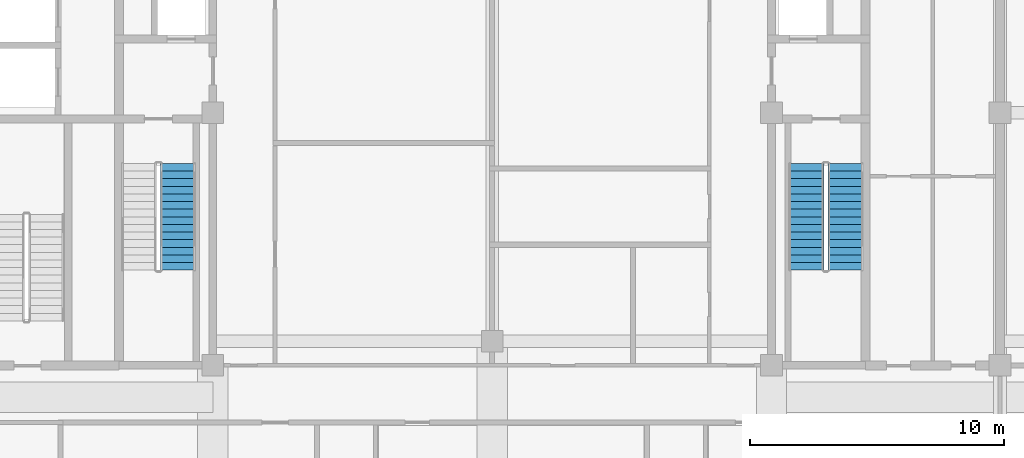
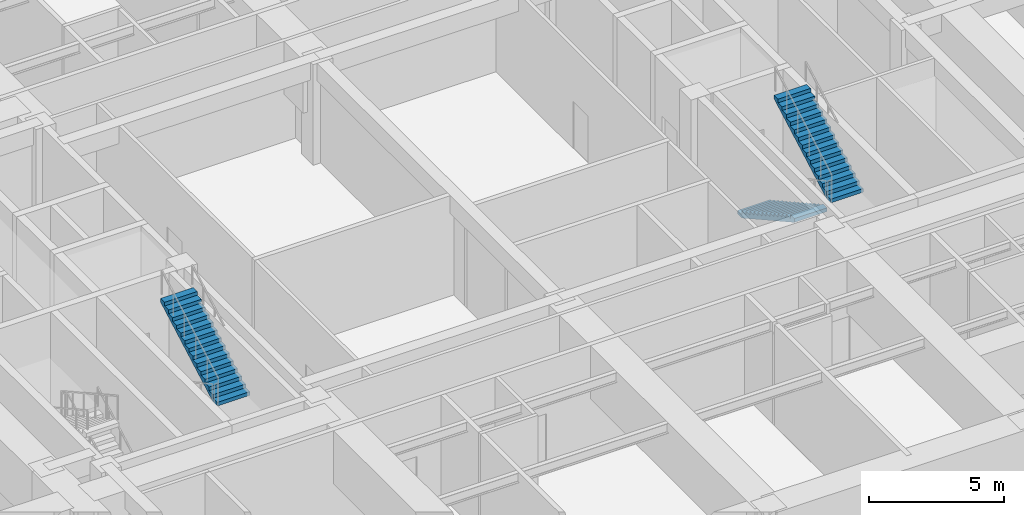
# One storey, part 7 of 11: 3 stair flights, 2 elements without a shape of their own.
"""IFC4 building model written with IfcOpenShell, lengths in metres."""

from ifc_helpers import new_model, si_unit, direction, frame, origin, place, context, subcontext, project, spatial, polyline, outline, extrude, material, layer, layer_set, type_object, element, aggregate, save


model = new_model("IFC4")

# Units and contexts
model_context = context("Model", 3, precision=1e-05, world=origin(), true_north=direction((0.0, 1.0)))
body_context = subcontext(model_context, "Body", "Model", "MODEL_VIEW")
ifc_project = project(units=[si_unit("LENGTHUNIT", "METRE"), si_unit("AREAUNIT", "SQUARE_METRE"), si_unit("VOLUMEUNIT", "CUBIC_METRE"), si_unit("PLANEANGLEUNIT", "RADIAN"), si_unit("MASSUNIT", "GRAM", prefix="KILO")], contexts=[model_context])

# Site, building, storey
site_placement = place(None, origin())
site = spatial("IfcSite", under=ifc_project, at=site_placement, CompositionType="ELEMENT")
building_placement = place(site_placement, origin())
building = spatial("IfcBuilding", under=site, at=building_placement, Name="Zulmaris Gate Convention Tower", CompositionType="ELEMENT")
storey_placement = place(building_placement, frame((0.0, 0.0, 186.4599609375)))
storey = spatial("IfcBuildingStorey", under=building, at=storey_placement, Name="L48", CompositionType="ELEMENT", Elevation=186.4599609375)

# Stair, stair flight
ifc_material = material(Name="Concrete C45/55", Category="concrete")
stair_type = type_object("IfcStairType", Name="ST-CORE-DOGLEG", PredefinedType="HALF_TURN_STAIR", material=ifc_material)
stair_1_placement = place(storey_placement, origin())
stair_1 = element("IfcStair", 1, at=stair_1_placement, inside=storey, type_object=stair_type, Name="L48 Core Exit Stair ST-1", PredefinedType="HALF_TURN_STAIR")
ifc_layer = layer(ifc_material, 0.14990234375, Name="Concrete C45/55")
ifc_layer_set = layer_set([ifc_layer], Name="Concrete C45/55")
stair_flight_type = type_object("IfcStairFlightType", Name="STF-RC150", PredefinedType="STRAIGHT", material=ifc_layer_set)
stair_flight_1_placement = place(storey_placement, frame((-12.360107421875, -6.199951171875, 2.5), z_axis=(0.0, 0.0, 1.0), x_axis=(0.0, 1.0, 0.0)))
stair_flight_1 = element("IfcStairFlight", 2, at=stair_flight_1_placement, type_object=stair_flight_type, Name="ST-1 flight 2", NumberOfRisers=15, NumberOfTreads=14, PredefinedType="STRAIGHT", RiserHeight=0.166666667, TreadLength=0.3, context=body_context, shape_type="SweptSolid", body=[
    extrude(outline(polyline([(0.0, 0.0), (0.0, 0.166748046875), (0.300048828125, 0.166748046875), (0.300048828125, 0.333251953125), (0.60009765625, 0.333251953125), (0.60009765625, 0.5), (0.89990234375, 0.5), (0.89990234375, 0.666748046875), (1.199951171875, 0.666748046875), (1.199951171875, 0.833251953125), (1.5, 0.833251953125), (1.5, 1.0), (1.800048828125, 1.0), (1.800048828125, 1.166748046875), (2.10009765625, 1.166748046875), (2.10009765625, 1.333251953125), (2.39990234375, 1.333251953125), (2.39990234375, 1.5), (2.699951171875, 1.5), (2.699951171875, 1.666748046875), (3.0, 1.666748046875), (3.0, 1.833251953125), (3.300048828125, 1.833251953125), (3.300048828125, 2.0), (3.60009765625, 2.0), (3.60009765625, 2.166748046875), (3.89990234375, 2.166748046875), (3.89990234375, 2.333251953125), (4.199951171875, 2.333251953125), (4.199951171875, 2.5), (4.199951171875, 2.161865234375), (0.30859375, 0.0), (0.0, 0.0)])), frame((0.0, 0.699951171875, 0.0), z_axis=(0.0, -1.0, 0.0), x_axis=(1.0, 0.0, 0.0)), (0.0, 0.0, 1.0), 1.39990234375),
])
aggregate(stair_1, [stair_flight_1])

# Stair, stair flights
stair_2_placement = place(storey_placement, origin())
stair_2 = element("IfcStair", 3, at=stair_2_placement, inside=storey, type_object=stair_type, Name="L48 Core Exit Stair ST-2", PredefinedType="HALF_TURN_STAIR")
stair_flight_2_placement = place(storey_placement, frame((12.360107421875, -2.0, 0.0), z_axis=(0.0, 0.0, 1.0), x_axis=(0.0, -1.0, 0.0)))
stair_flight_2 = element("IfcStairFlight", 4, at=stair_flight_2_placement, type_object=stair_flight_type, Name="ST-2 flight 1", NumberOfRisers=15, NumberOfTreads=14, PredefinedType="STRAIGHT", RiserHeight=0.166666667, TreadLength=0.3, context=body_context, shape_type="SweptSolid", body=[
    extrude(outline(polyline([(0.0, 0.0), (0.0, 0.166748046875), (0.300048828125, 0.166748046875), (0.300048828125, 0.333251953125), (0.60009765625, 0.333251953125), (0.60009765625, 0.5), (0.89990234375, 0.5), (0.89990234375, 0.666748046875), (1.199951171875, 0.666748046875), (1.199951171875, 0.833251953125), (1.5, 0.833251953125), (1.5, 1.0), (1.800048828125, 1.0), (1.800048828125, 1.166748046875), (2.10009765625, 1.166748046875), (2.10009765625, 1.333251953125), (2.39990234375, 1.333251953125), (2.39990234375, 1.5), (2.699951171875, 1.5), (2.699951171875, 1.666748046875), (3.0, 1.666748046875), (3.0, 1.833251953125), (3.300048828125, 1.833251953125), (3.300048828125, 2.0), (3.60009765625, 2.0), (3.60009765625, 2.166748046875), (3.89990234375, 2.166748046875), (3.89990234375, 2.333251953125), (4.199951171875, 2.333251953125), (4.199951171875, 2.5), (4.199951171875, 2.161865234375), (0.30859375, 0.0), (0.0, 0.0)])), frame((0.0, 0.699951171875, 0.0), z_axis=(0.0, -1.0, 0.0), x_axis=(1.0, 0.0, 0.0)), (0.0, 0.0, 1.0), 1.39990234375),
])
stair_flight_3_placement = place(storey_placement, frame((13.919921875, -6.199951171875, 2.5), z_axis=(0.0, 0.0, 1.0), x_axis=(0.0, 1.0, 0.0)))
stair_flight_3 = element("IfcStairFlight", 5, at=stair_flight_3_placement, type_object=stair_flight_type, Name="ST-2 flight 2", NumberOfRisers=15, NumberOfTreads=14, PredefinedType="STRAIGHT", RiserHeight=0.166666667, TreadLength=0.3, context=body_context, shape_type="SweptSolid", body=[
    extrude(outline(polyline([(0.0, 0.0), (0.0, 0.166748046875), (0.300048828125, 0.166748046875), (0.300048828125, 0.333251953125), (0.60009765625, 0.333251953125), (0.60009765625, 0.5), (0.89990234375, 0.5), (0.89990234375, 0.666748046875), (1.199951171875, 0.666748046875), (1.199951171875, 0.833251953125), (1.5, 0.833251953125), (1.5, 1.0), (1.800048828125, 1.0), (1.800048828125, 1.166748046875), (2.10009765625, 1.166748046875), (2.10009765625, 1.333251953125), (2.39990234375, 1.333251953125), (2.39990234375, 1.5), (2.699951171875, 1.5), (2.699951171875, 1.666748046875), (3.0, 1.666748046875), (3.0, 1.833251953125), (3.300048828125, 1.833251953125), (3.300048828125, 2.0), (3.60009765625, 2.0), (3.60009765625, 2.166748046875), (3.89990234375, 2.166748046875), (3.89990234375, 2.333251953125), (4.199951171875, 2.333251953125), (4.199951171875, 2.5), (4.199951171875, 2.161865234375), (0.30859375, 0.0), (0.0, 0.0)])), frame((0.0, 0.699951171875, 0.0), z_axis=(0.0, -1.0, 0.0), x_axis=(1.0, 0.0, 0.0)), (0.0, 0.0, 1.0), 1.39990234375),
])
aggregate(stair_2, [stair_flight_2, stair_flight_3])

save(model, "model.ifc")
